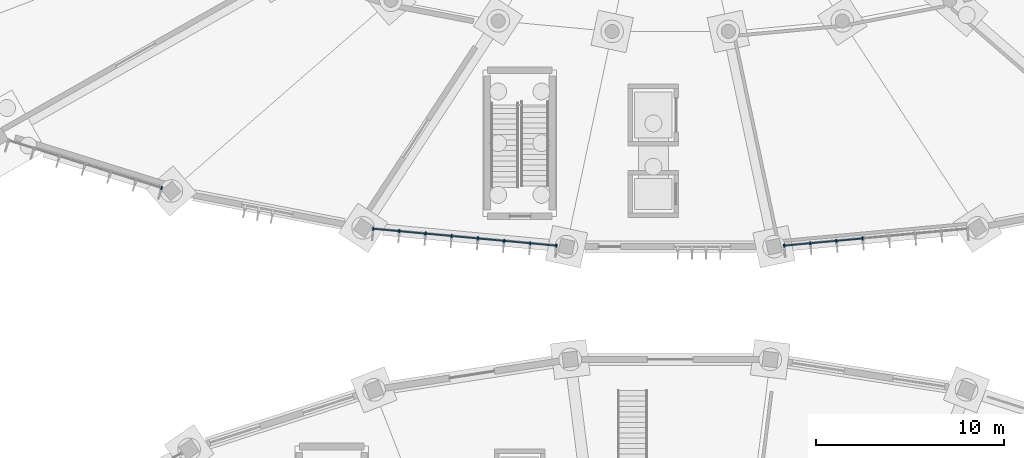
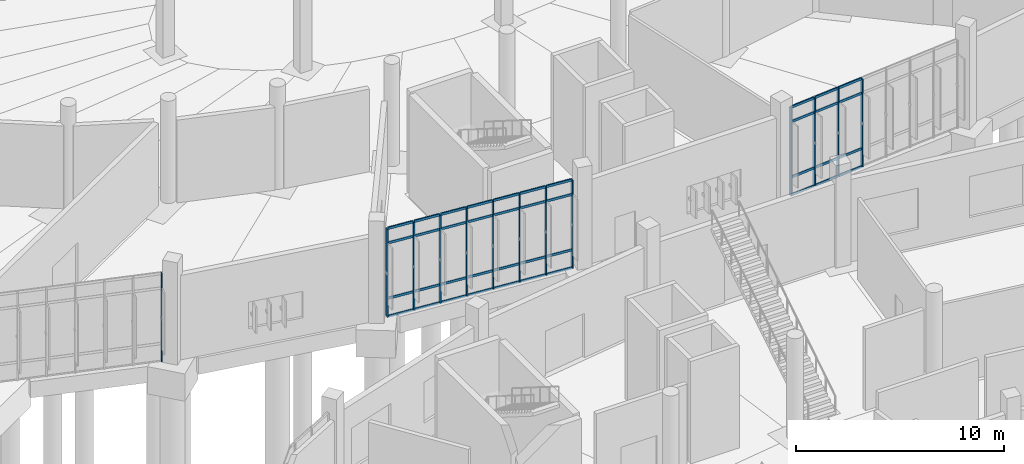
# One storey, part 37 of 140: 53 members, 3 elements without a shape of their own.
"""IFC4 building model written with IfcOpenShell, lengths in metres."""

from ifc_helpers import new_model, si_unit, direction, frame, origin, origin_2d, place, context, subcontext, project, spatial, rectangle, extrude, material, layer, layer_set, material_profile, profile_set, type_object, element, aggregate, save


model = new_model("IFC4")

# Units and contexts
model_context = context("Model", 3, precision=1e-05, world=origin(), true_north=direction((0.0, 1.0)))
body_context = subcontext(model_context, "Body", "Model", "MODEL_VIEW")
ifc_project = project(units=[si_unit("LENGTHUNIT", "METRE"), si_unit("AREAUNIT", "SQUARE_METRE"), si_unit("VOLUMEUNIT", "CUBIC_METRE"), si_unit("PLANEANGLEUNIT", "RADIAN"), si_unit("MASSUNIT", "GRAM", prefix="KILO")], contexts=[model_context])

# Site, building, storey
site_placement = place(None, origin())
site = spatial("IfcSite", under=ifc_project, at=site_placement, CompositionType="ELEMENT")
building_placement = place(site_placement, origin())
building = spatial("IfcBuilding", under=site, at=building_placement, Name="Corvandel Quay Wholesale Market", CompositionType="ELEMENT")
storey_placement = place(building_placement, origin())
storey = spatial("IfcBuildingStorey", under=building, at=storey_placement, Name="L00", CompositionType="ELEMENT", Elevation=0.0)

# Curtain wall, member
ifc_material_1 = material(Name="Bronze anodised aluminium and low-E insulated glazing", Category="aluminium")
ifc_layer_1 = layer(ifc_material_1, 0.18603515625)
ifc_layer_set_1 = layer_set([ifc_layer_1], Name="Bronze anodised aluminium and low-E insulated glazing")
curtain_wall_type_1 = type_object("IfcCurtainWallType", Name="Stick Curtain Wall System CW23 H5070", PredefinedType="NOTDEFINED", material=ifc_layer_set_1)
curtain_wall_1_placement = place(storey_placement, origin())
curtain_wall_1 = element("IfcCurtainWall", 1, at=curtain_wall_1_placement, inside=storey, type_object=curtain_wall_type_1, Name="Curtain Wall CW-0108", PredefinedType="NOTDEFINED")
ifc_material_2 = material(Name="Anodised aluminium 6063-T6", Category="aluminium")
ifc_material_profile_1 = material_profile(ifc_material_2, rectangle(XDim=0.06494140625, YDim=0.179931640625, at=origin_2d()), Name="ALU-MUL-65x180")
ifc_profile_set_1 = profile_set([ifc_material_profile_1], Name="Anodised aluminium 6063-T6")
member_type_1 = type_object("IfcMemberType", Name="Curtain Wall Mullion ML01 65x180", PredefinedType="MULLION", material=ifc_profile_set_1)
member_1_placement = place(storey_placement, frame((86.958251953125, 93.118896484375, 0.0), z_axis=(0.0, 0.0, 1.0), x_axis=(-0.955123398809, 0.296208192067, 0.0)))
member_1 = element("IfcMember", 2, at=member_1_placement, type_object=member_type_1, Name="Mullion CW-0108-M06", PredefinedType="MULLION", context=body_context, shape_type="SweptSolid", body=[
    extrude(rectangle(XDim=0.06494140625, YDim=0.179931640625, at=origin_2d()), origin(), (0.0, 0.0, 1.0), 5.14990234375),
])
aggregate(curtain_wall_1, [member_1])

# Curtain wall, members
ifc_layer_2 = layer(ifc_material_1, 0.14990234375)
ifc_layer_set_2 = layer_set([ifc_layer_2], Name="Bronze anodised aluminium and low-E insulated glazing")
curtain_wall_type_2 = type_object("IfcCurtainWallType", Name="Stick Curtain Wall System CW25 H5250", PredefinedType="NOTDEFINED", material=ifc_layer_set_2)
curtain_wall_2_placement = place(storey_placement, origin())
curtain_wall_2 = element("IfcCurtainWall", 3, at=curtain_wall_2_placement, inside=storey, type_object=curtain_wall_type_2, Name="Curtain Wall CW-0112", PredefinedType="NOTDEFINED")
member_2_placement = place(storey_placement, frame((98.20263671875, 90.94921875, 0.0), z_axis=(0.0, 0.0, 1.0), x_axis=(-0.995756880939, 0.092023008338, 0.0)))
member_2 = element("IfcMember", 4, at=member_2_placement, type_object=member_type_1, Name="Mullion CW-0112-M00", PredefinedType="MULLION", context=body_context, shape_type="SweptSolid", body=[
    extrude(rectangle(XDim=0.06494140625, YDim=0.179931640625, at=origin_2d()), origin(), (0.0, 0.0, 1.0), 5.14990234375),
])
member_3_placement = place(storey_placement, frame((99.594482421875, 90.82080078125, 0.0), z_axis=(0.0, 0.0, 1.0), x_axis=(-0.995756880939, 0.092023008338, 0.0)))
member_3 = element("IfcMember", 5, at=member_3_placement, type_object=member_type_1, Name="Mullion CW-0112-M01", PredefinedType="MULLION", context=body_context, shape_type="SweptSolid", body=[
    extrude(rectangle(XDim=0.06494140625, YDim=0.179931640625, at=origin_2d()), origin(), (0.0, 0.0, 1.0), 5.14990234375),
])
member_4_placement = place(storey_placement, frame((100.986572265625, 90.6923828125, 0.0), z_axis=(0.0, 0.0, 1.0), x_axis=(-0.995756880939, 0.092023008338, 0.0)))
member_4 = element("IfcMember", 6, at=member_4_placement, type_object=member_type_1, Name="Mullion CW-0112-M02", PredefinedType="MULLION", context=body_context, shape_type="SweptSolid", body=[
    extrude(rectangle(XDim=0.06494140625, YDim=0.179931640625, at=origin_2d()), origin(), (0.0, 0.0, 1.0), 5.14990234375),
])
member_5_placement = place(storey_placement, frame((102.37841796875, 90.563720703125, 0.0), z_axis=(0.0, 0.0, 1.0), x_axis=(-0.995756880939, 0.092023008338, 0.0)))
member_5 = element("IfcMember", 7, at=member_5_placement, type_object=member_type_1, Name="Mullion CW-0112-M03", PredefinedType="MULLION", context=body_context, shape_type="SweptSolid", body=[
    extrude(rectangle(XDim=0.06494140625, YDim=0.179931640625, at=origin_2d()), origin(), (0.0, 0.0, 1.0), 5.14990234375),
])
member_6_placement = place(storey_placement, frame((103.7705078125, 90.435302734375, 0.0), z_axis=(0.0, 0.0, 1.0), x_axis=(-0.995756880939, 0.092023008338, 0.0)))
member_6 = element("IfcMember", 8, at=member_6_placement, type_object=member_type_1, Name="Mullion CW-0112-M04", PredefinedType="MULLION", context=body_context, shape_type="SweptSolid", body=[
    extrude(rectangle(XDim=0.06494140625, YDim=0.179931640625, at=origin_2d()), origin(), (0.0, 0.0, 1.0), 5.14990234375),
])
member_7_placement = place(storey_placement, frame((105.162353515625, 90.306640625, 0.0), z_axis=(0.0, 0.0, 1.0), x_axis=(-0.995756880939, 0.092023008338, 0.0)))
member_7 = element("IfcMember", 9, at=member_7_placement, type_object=member_type_1, Name="Mullion CW-0112-M05", PredefinedType="MULLION", context=body_context, shape_type="SweptSolid", body=[
    extrude(rectangle(XDim=0.06494140625, YDim=0.179931640625, at=origin_2d()), origin(), (0.0, 0.0, 1.0), 5.14990234375),
])
member_8_placement = place(storey_placement, frame((106.554443359375, 90.17822265625, 0.0), z_axis=(0.0, 0.0, 1.0), x_axis=(-0.995756880939, 0.092023008338, 0.0)))
member_8 = element("IfcMember", 10, at=member_8_placement, type_object=member_type_1, Name="Mullion CW-0112-M06", PredefinedType="MULLION", context=body_context, shape_type="SweptSolid", body=[
    extrude(rectangle(XDim=0.06494140625, YDim=0.179931640625, at=origin_2d()), origin(), (0.0, 0.0, 1.0), 5.14990234375),
])
member_9_placement = place(storey_placement, frame((107.9462890625, 90.0498046875, 0.0), z_axis=(0.0, 0.0, 1.0), x_axis=(-0.995756880939, 0.092023008338, 0.0)))
member_9 = element("IfcMember", 11, at=member_9_placement, type_object=member_type_1, Name="Mullion CW-0112-M07", PredefinedType="MULLION", context=body_context, shape_type="SweptSolid", body=[
    extrude(rectangle(XDim=0.06494140625, YDim=0.179931640625, at=origin_2d()), origin(), (0.0, 0.0, 1.0), 5.14990234375),
])

ifc_layer_3 = layer(ifc_material_1, 0.174072265625)
ifc_layer_set_3 = layer_set([ifc_layer_3], Name="Bronze anodised aluminium and low-E insulated glazing")
curtain_wall_type_3 = type_object("IfcCurtainWallType", Name="Stick Curtain Wall System CW27 H5430", PredefinedType="NOTDEFINED", material=ifc_layer_set_3)
curtain_wall_3_placement = place(storey_placement, origin())
curtain_wall_3 = element("IfcCurtainWall", 12, at=curtain_wall_3_placement, inside=storey, type_object=curtain_wall_type_3, Name="Curtain Wall CW-0116", PredefinedType="NOTDEFINED")
member_10_placement = place(storey_placement, frame((120.0537109375, 90.0498046875, 0.0), z_axis=(0.0, 0.0, 1.0), x_axis=(0.995756880939, 0.092023008338, 0.0)))
member_10 = element("IfcMember", 13, at=member_10_placement, type_object=member_type_1, Name="Mullion CW-0116-M00", PredefinedType="MULLION", context=body_context, shape_type="SweptSolid", body=[
    extrude(rectangle(XDim=0.06494140625, YDim=0.179931640625, at=origin_2d()), origin(), (0.0, 0.0, 1.0), 5.14990234375),
])
member_11_placement = place(storey_placement, frame((121.445556640625, 90.17822265625, 0.0), z_axis=(0.0, 0.0, 1.0), x_axis=(0.995756880939, 0.092023008338, 0.0)))
member_11 = element("IfcMember", 14, at=member_11_placement, type_object=member_type_1, Name="Mullion CW-0116-M01", PredefinedType="MULLION", context=body_context, shape_type="SweptSolid", body=[
    extrude(rectangle(XDim=0.06494140625, YDim=0.179931640625, at=origin_2d()), origin(), (0.0, 0.0, 1.0), 5.14990234375),
])
member_12_placement = place(storey_placement, frame((122.837646484375, 90.306640625, 0.0), z_axis=(0.0, 0.0, 1.0), x_axis=(0.995756880939, 0.092023008338, 0.0)))
member_12 = element("IfcMember", 15, at=member_12_placement, type_object=member_type_1, Name="Mullion CW-0116-M02", PredefinedType="MULLION", context=body_context, shape_type="SweptSolid", body=[
    extrude(rectangle(XDim=0.06494140625, YDim=0.179931640625, at=origin_2d()), origin(), (0.0, 0.0, 1.0), 5.14990234375),
])
member_13_placement = place(storey_placement, frame((124.2294921875, 90.435302734375, 0.0), z_axis=(0.0, 0.0, 1.0), x_axis=(0.995756880939, 0.092023008338, 0.0)))
member_13 = element("IfcMember", 16, at=member_13_placement, type_object=member_type_1, Name="Mullion CW-0116-M03", PredefinedType="MULLION", context=body_context, shape_type="SweptSolid", body=[
    extrude(rectangle(XDim=0.06494140625, YDim=0.179931640625, at=origin_2d()), origin(), (0.0, 0.0, 1.0), 5.14990234375),
])

# Member
ifc_material_profile_2 = material_profile(ifc_material_2, rectangle(XDim=0.06494140625, YDim=0.139892578125, at=origin_2d()), Name="ALU-TRN-65x140")
ifc_profile_set_2 = profile_set([ifc_material_profile_2], Name="Anodised aluminium 6063-T6")
member_type_2 = type_object("IfcMemberType", Name="Curtain Wall Transom TR01 65x140", PredefinedType="USERDEFINED", material=ifc_profile_set_2)
member_14_placement = place(storey_placement, frame((98.235107421875, 90.9462890625, 0.0), z_axis=(0.99576306711, -0.091956044829, 0.0), x_axis=(0.091956044829, 0.99576306711, 0.0)))
member_14 = element("IfcMember", 17, at=member_14_placement, type_object=member_type_2, Name="Transom CW-0112-T00-0", ObjectType="TRANSOM", PredefinedType="USERDEFINED", context=body_context, shape_type="SweptSolid", body=[
    extrude(rectangle(XDim=0.06494140625, YDim=0.139892578125, at=origin_2d()), origin(), (0.0, 0.0, 1.0), 1.332763671875),
])

member_15_placement = place(storey_placement, frame((98.235107421875, 90.9462890625, 1.050048828125), z_axis=(0.99576306711, -0.091956044829, 0.0), x_axis=(0.091956044829, 0.99576306711, 0.0)))
member_15 = element("IfcMember", 18, at=member_15_placement, type_object=member_type_2, Name="Transom CW-0112-T00-1", ObjectType="TRANSOM", PredefinedType="USERDEFINED", context=body_context, shape_type="SweptSolid", body=[
    extrude(rectangle(XDim=0.06494140625, YDim=0.139892578125, at=origin_2d()), origin(), (0.0, 0.0, 1.0), 1.332763671875),
])

member_16_placement = place(storey_placement, frame((98.235107421875, 90.9462890625, 4.300048828125), z_axis=(0.99576306711, -0.091956044829, 0.0), x_axis=(0.091956044829, 0.99576306711, 0.0)))
member_16 = element("IfcMember", 19, at=member_16_placement, type_object=member_type_2, Name="Transom CW-0112-T00-2", ObjectType="TRANSOM", PredefinedType="USERDEFINED", context=body_context, shape_type="SweptSolid", body=[
    extrude(rectangle(XDim=0.06494140625, YDim=0.139892578125, at=origin_2d()), origin(), (0.0, 0.0, 1.0), 1.332763671875),
])

member_17_placement = place(storey_placement, frame((98.235107421875, 90.9462890625, 5.14990234375), z_axis=(0.99576306711, -0.091956044829, 0.0), x_axis=(0.091956044829, 0.99576306711, 0.0)))
member_17 = element("IfcMember", 20, at=member_17_placement, type_object=member_type_2, Name="Transom CW-0112-T00-3", ObjectType="TRANSOM", PredefinedType="USERDEFINED", context=body_context, shape_type="SweptSolid", body=[
    extrude(rectangle(XDim=0.06494140625, YDim=0.139892578125, at=origin_2d()), origin(), (0.0, 0.0, 1.0), 1.332763671875),
])

member_18_placement = place(storey_placement, frame((99.626953125, 90.81787109375, 0.0), z_axis=(0.99576306711, -0.091956044829, 0.0), x_axis=(0.091956044829, 0.99576306711, 0.0)))
member_18 = element("IfcMember", 21, at=member_18_placement, type_object=member_type_2, Name="Transom CW-0112-T01-0", ObjectType="TRANSOM", PredefinedType="USERDEFINED", context=body_context, shape_type="SweptSolid", body=[
    extrude(rectangle(XDim=0.06494140625, YDim=0.139892578125, at=origin_2d()), origin(), (0.0, 0.0, 1.0), 1.332763671875),
])

member_19_placement = place(storey_placement, frame((99.626953125, 90.81787109375, 1.050048828125), z_axis=(0.99576306711, -0.091956044829, 0.0), x_axis=(0.091956044829, 0.99576306711, 0.0)))
member_19 = element("IfcMember", 22, at=member_19_placement, type_object=member_type_2, Name="Transom CW-0112-T01-1", ObjectType="TRANSOM", PredefinedType="USERDEFINED", context=body_context, shape_type="SweptSolid", body=[
    extrude(rectangle(XDim=0.06494140625, YDim=0.139892578125, at=origin_2d()), origin(), (0.0, 0.0, 1.0), 1.332763671875),
])

member_20_placement = place(storey_placement, frame((99.626953125, 90.81787109375, 4.300048828125), z_axis=(0.99576306711, -0.091956044829, 0.0), x_axis=(0.091956044829, 0.99576306711, 0.0)))
member_20 = element("IfcMember", 23, at=member_20_placement, type_object=member_type_2, Name="Transom CW-0112-T01-2", ObjectType="TRANSOM", PredefinedType="USERDEFINED", context=body_context, shape_type="SweptSolid", body=[
    extrude(rectangle(XDim=0.06494140625, YDim=0.139892578125, at=origin_2d()), origin(), (0.0, 0.0, 1.0), 1.332763671875),
])

member_21_placement = place(storey_placement, frame((99.626953125, 90.81787109375, 5.14990234375), z_axis=(0.99576306711, -0.091956044829, 0.0), x_axis=(0.091956044829, 0.99576306711, 0.0)))
member_21 = element("IfcMember", 24, at=member_21_placement, type_object=member_type_2, Name="Transom CW-0112-T01-3", ObjectType="TRANSOM", PredefinedType="USERDEFINED", context=body_context, shape_type="SweptSolid", body=[
    extrude(rectangle(XDim=0.06494140625, YDim=0.139892578125, at=origin_2d()), origin(), (0.0, 0.0, 1.0), 1.332763671875),
])

member_22_placement = place(storey_placement, frame((101.018798828125, 90.689208984375, 0.0), z_axis=(0.995764615635, -0.091939274793, 0.0), x_axis=(0.091939274793, 0.995764615635, 0.0)))
member_22 = element("IfcMember", 25, at=member_22_placement, type_object=member_type_2, Name="Transom CW-0112-T02-0", ObjectType="TRANSOM", PredefinedType="USERDEFINED", context=body_context, shape_type="SweptSolid", body=[
    extrude(rectangle(XDim=0.06494140625, YDim=0.139892578125, at=origin_2d()), origin(), (0.0, 0.0, 1.0), 1.3330078125),
])

member_23_placement = place(storey_placement, frame((101.018798828125, 90.689208984375, 1.050048828125), z_axis=(0.995764615635, -0.091939274793, 0.0), x_axis=(0.091939274793, 0.995764615635, 0.0)))
member_23 = element("IfcMember", 26, at=member_23_placement, type_object=member_type_2, Name="Transom CW-0112-T02-1", ObjectType="TRANSOM", PredefinedType="USERDEFINED", context=body_context, shape_type="SweptSolid", body=[
    extrude(rectangle(XDim=0.06494140625, YDim=0.139892578125, at=origin_2d()), origin(), (0.0, 0.0, 1.0), 1.3330078125),
])

member_24_placement = place(storey_placement, frame((101.018798828125, 90.689208984375, 4.300048828125), z_axis=(0.995764615635, -0.091939274793, 0.0), x_axis=(0.091939274793, 0.995764615635, 0.0)))
member_24 = element("IfcMember", 27, at=member_24_placement, type_object=member_type_2, Name="Transom CW-0112-T02-2", ObjectType="TRANSOM", PredefinedType="USERDEFINED", context=body_context, shape_type="SweptSolid", body=[
    extrude(rectangle(XDim=0.06494140625, YDim=0.139892578125, at=origin_2d()), origin(), (0.0, 0.0, 1.0), 1.3330078125),
])

member_25_placement = place(storey_placement, frame((101.018798828125, 90.689208984375, 5.14990234375), z_axis=(0.995764615635, -0.091939274793, 0.0), x_axis=(0.091939274793, 0.995764615635, 0.0)))
member_25 = element("IfcMember", 28, at=member_25_placement, type_object=member_type_2, Name="Transom CW-0112-T02-3", ObjectType="TRANSOM", PredefinedType="USERDEFINED", context=body_context, shape_type="SweptSolid", body=[
    extrude(rectangle(XDim=0.06494140625, YDim=0.139892578125, at=origin_2d()), origin(), (0.0, 0.0, 1.0), 1.3330078125),
])

member_26_placement = place(storey_placement, frame((102.410888671875, 90.560791015625, 0.0), z_axis=(0.99576306711, -0.091956044829, 0.0), x_axis=(0.091956044829, 0.99576306711, 0.0)))
member_26 = element("IfcMember", 29, at=member_26_placement, type_object=member_type_2, Name="Transom CW-0112-T03-0", ObjectType="TRANSOM", PredefinedType="USERDEFINED", context=body_context, shape_type="SweptSolid", body=[
    extrude(rectangle(XDim=0.06494140625, YDim=0.139892578125, at=origin_2d()), origin(), (0.0, 0.0, 1.0), 1.332763671875),
])

member_27_placement = place(storey_placement, frame((102.410888671875, 90.560791015625, 1.050048828125), z_axis=(0.99576306711, -0.091956044829, 0.0), x_axis=(0.091956044829, 0.99576306711, 0.0)))
member_27 = element("IfcMember", 30, at=member_27_placement, type_object=member_type_2, Name="Transom CW-0112-T03-1", ObjectType="TRANSOM", PredefinedType="USERDEFINED", context=body_context, shape_type="SweptSolid", body=[
    extrude(rectangle(XDim=0.06494140625, YDim=0.139892578125, at=origin_2d()), origin(), (0.0, 0.0, 1.0), 1.332763671875),
])

member_28_placement = place(storey_placement, frame((102.410888671875, 90.560791015625, 4.300048828125), z_axis=(0.99576306711, -0.091956044829, 0.0), x_axis=(0.091956044829, 0.99576306711, 0.0)))
member_28 = element("IfcMember", 31, at=member_28_placement, type_object=member_type_2, Name="Transom CW-0112-T03-2", ObjectType="TRANSOM", PredefinedType="USERDEFINED", context=body_context, shape_type="SweptSolid", body=[
    extrude(rectangle(XDim=0.06494140625, YDim=0.139892578125, at=origin_2d()), origin(), (0.0, 0.0, 1.0), 1.332763671875),
])

member_29_placement = place(storey_placement, frame((102.410888671875, 90.560791015625, 5.14990234375), z_axis=(0.99576306711, -0.091956044829, 0.0), x_axis=(0.091956044829, 0.99576306711, 0.0)))
member_29 = element("IfcMember", 32, at=member_29_placement, type_object=member_type_2, Name="Transom CW-0112-T03-3", ObjectType="TRANSOM", PredefinedType="USERDEFINED", context=body_context, shape_type="SweptSolid", body=[
    extrude(rectangle(XDim=0.06494140625, YDim=0.139892578125, at=origin_2d()), origin(), (0.0, 0.0, 1.0), 1.332763671875),
])

member_30_placement = place(storey_placement, frame((103.802734375, 90.432373046875, 0.0), z_axis=(0.995764615635, -0.091939274793, 0.0), x_axis=(0.091939274793, 0.995764615635, 0.0)))
member_30 = element("IfcMember", 33, at=member_30_placement, type_object=member_type_2, Name="Transom CW-0112-T04-0", ObjectType="TRANSOM", PredefinedType="USERDEFINED", context=body_context, shape_type="SweptSolid", body=[
    extrude(rectangle(XDim=0.06494140625, YDim=0.139892578125, at=origin_2d()), origin(), (0.0, 0.0, 1.0), 1.3330078125),
])

member_31_placement = place(storey_placement, frame((103.802734375, 90.432373046875, 1.050048828125), z_axis=(0.995764615635, -0.091939274793, 0.0), x_axis=(0.091939274793, 0.995764615635, 0.0)))
member_31 = element("IfcMember", 34, at=member_31_placement, type_object=member_type_2, Name="Transom CW-0112-T04-1", ObjectType="TRANSOM", PredefinedType="USERDEFINED", context=body_context, shape_type="SweptSolid", body=[
    extrude(rectangle(XDim=0.06494140625, YDim=0.139892578125, at=origin_2d()), origin(), (0.0, 0.0, 1.0), 1.3330078125),
])

member_32_placement = place(storey_placement, frame((103.802734375, 90.432373046875, 4.300048828125), z_axis=(0.995764615635, -0.091939274793, 0.0), x_axis=(0.091939274793, 0.995764615635, 0.0)))
member_32 = element("IfcMember", 35, at=member_32_placement, type_object=member_type_2, Name="Transom CW-0112-T04-2", ObjectType="TRANSOM", PredefinedType="USERDEFINED", context=body_context, shape_type="SweptSolid", body=[
    extrude(rectangle(XDim=0.06494140625, YDim=0.139892578125, at=origin_2d()), origin(), (0.0, 0.0, 1.0), 1.3330078125),
])

member_33_placement = place(storey_placement, frame((103.802734375, 90.432373046875, 5.14990234375), z_axis=(0.995764615635, -0.091939274793, 0.0), x_axis=(0.091939274793, 0.995764615635, 0.0)))
member_33 = element("IfcMember", 36, at=member_33_placement, type_object=member_type_2, Name="Transom CW-0112-T04-3", ObjectType="TRANSOM", PredefinedType="USERDEFINED", context=body_context, shape_type="SweptSolid", body=[
    extrude(rectangle(XDim=0.06494140625, YDim=0.139892578125, at=origin_2d()), origin(), (0.0, 0.0, 1.0), 1.3330078125),
])

member_34_placement = place(storey_placement, frame((105.19482421875, 90.3037109375, 0.0), z_axis=(0.99576306711, -0.091956044829, 0.0), x_axis=(0.091956044829, 0.99576306711, 0.0)))
member_34 = element("IfcMember", 37, at=member_34_placement, type_object=member_type_2, Name="Transom CW-0112-T05-0", ObjectType="TRANSOM", PredefinedType="USERDEFINED", context=body_context, shape_type="SweptSolid", body=[
    extrude(rectangle(XDim=0.06494140625, YDim=0.139892578125, at=origin_2d()), origin(), (0.0, 0.0, 1.0), 1.332763671875),
])

member_35_placement = place(storey_placement, frame((105.19482421875, 90.3037109375, 1.050048828125), z_axis=(0.99576306711, -0.091956044829, 0.0), x_axis=(0.091956044829, 0.99576306711, 0.0)))
member_35 = element("IfcMember", 38, at=member_35_placement, type_object=member_type_2, Name="Transom CW-0112-T05-1", ObjectType="TRANSOM", PredefinedType="USERDEFINED", context=body_context, shape_type="SweptSolid", body=[
    extrude(rectangle(XDim=0.06494140625, YDim=0.139892578125, at=origin_2d()), origin(), (0.0, 0.0, 1.0), 1.332763671875),
])

member_36_placement = place(storey_placement, frame((105.19482421875, 90.3037109375, 4.300048828125), z_axis=(0.99576306711, -0.091956044829, 0.0), x_axis=(0.091956044829, 0.99576306711, 0.0)))
member_36 = element("IfcMember", 39, at=member_36_placement, type_object=member_type_2, Name="Transom CW-0112-T05-2", ObjectType="TRANSOM", PredefinedType="USERDEFINED", context=body_context, shape_type="SweptSolid", body=[
    extrude(rectangle(XDim=0.06494140625, YDim=0.139892578125, at=origin_2d()), origin(), (0.0, 0.0, 1.0), 1.332763671875),
])

member_37_placement = place(storey_placement, frame((105.19482421875, 90.3037109375, 5.14990234375), z_axis=(0.99576306711, -0.091956044829, 0.0), x_axis=(0.091956044829, 0.99576306711, 0.0)))
member_37 = element("IfcMember", 40, at=member_37_placement, type_object=member_type_2, Name="Transom CW-0112-T05-3", ObjectType="TRANSOM", PredefinedType="USERDEFINED", context=body_context, shape_type="SweptSolid", body=[
    extrude(rectangle(XDim=0.06494140625, YDim=0.139892578125, at=origin_2d()), origin(), (0.0, 0.0, 1.0), 1.332763671875),
])

member_38_placement = place(storey_placement, frame((106.586669921875, 90.17529296875, 0.0), z_axis=(0.99576306711, -0.091956044829, 0.0), x_axis=(0.091956044829, 0.99576306711, 0.0)))
member_38 = element("IfcMember", 41, at=member_38_placement, type_object=member_type_2, Name="Transom CW-0112-T06-0", ObjectType="TRANSOM", PredefinedType="USERDEFINED", context=body_context, shape_type="SweptSolid", body=[
    extrude(rectangle(XDim=0.06494140625, YDim=0.139892578125, at=origin_2d()), origin(), (0.0, 0.0, 1.0), 1.332763671875),
])

member_39_placement = place(storey_placement, frame((106.586669921875, 90.17529296875, 1.050048828125), z_axis=(0.99576306711, -0.091956044829, 0.0), x_axis=(0.091956044829, 0.99576306711, 0.0)))
member_39 = element("IfcMember", 42, at=member_39_placement, type_object=member_type_2, Name="Transom CW-0112-T06-1", ObjectType="TRANSOM", PredefinedType="USERDEFINED", context=body_context, shape_type="SweptSolid", body=[
    extrude(rectangle(XDim=0.06494140625, YDim=0.139892578125, at=origin_2d()), origin(), (0.0, 0.0, 1.0), 1.332763671875),
])

member_40_placement = place(storey_placement, frame((106.586669921875, 90.17529296875, 4.300048828125), z_axis=(0.99576306711, -0.091956044829, 0.0), x_axis=(0.091956044829, 0.99576306711, 0.0)))
member_40 = element("IfcMember", 43, at=member_40_placement, type_object=member_type_2, Name="Transom CW-0112-T06-2", ObjectType="TRANSOM", PredefinedType="USERDEFINED", context=body_context, shape_type="SweptSolid", body=[
    extrude(rectangle(XDim=0.06494140625, YDim=0.139892578125, at=origin_2d()), origin(), (0.0, 0.0, 1.0), 1.332763671875),
])

member_41_placement = place(storey_placement, frame((106.586669921875, 90.17529296875, 5.14990234375), z_axis=(0.99576306711, -0.091956044829, 0.0), x_axis=(0.091956044829, 0.99576306711, 0.0)))
member_41 = element("IfcMember", 44, at=member_41_placement, type_object=member_type_2, Name="Transom CW-0112-T06-3", ObjectType="TRANSOM", PredefinedType="USERDEFINED", context=body_context, shape_type="SweptSolid", body=[
    extrude(rectangle(XDim=0.06494140625, YDim=0.139892578125, at=origin_2d()), origin(), (0.0, 0.0, 1.0), 1.332763671875),
])

aggregate(curtain_wall_2, [member_2, member_3, member_4, member_5, member_6, member_7, member_8, member_9, member_14, member_15, member_16, member_17, member_18, member_19, member_20, member_21, member_22, member_23, member_24, member_25, member_26, member_27, member_28, member_29, member_30, member_31, member_32, member_33, member_34, member_35, member_36, member_37, member_38, member_39, member_40, member_41])

member_42_placement = place(storey_placement, frame((120.086181640625, 90.052734375, 0.0), z_axis=(0.99576306711, 0.091956044829, 0.0), x_axis=(-0.091956044829, 0.99576306711, 0.0)))
member_42 = element("IfcMember", 45, at=member_42_placement, type_object=member_type_2, Name="Transom CW-0116-T00-0", ObjectType="TRANSOM", PredefinedType="USERDEFINED", context=body_context, shape_type="SweptSolid", body=[
    extrude(rectangle(XDim=0.06494140625, YDim=0.139892578125, at=origin_2d()), origin(), (0.0, 0.0, 1.0), 1.332763671875),
])

member_43_placement = place(storey_placement, frame((120.086181640625, 90.052734375, 1.050048828125), z_axis=(0.99576306711, 0.091956044829, 0.0), x_axis=(-0.091956044829, 0.99576306711, 0.0)))
member_43 = element("IfcMember", 46, at=member_43_placement, type_object=member_type_2, Name="Transom CW-0116-T00-1", ObjectType="TRANSOM", PredefinedType="USERDEFINED", context=body_context, shape_type="SweptSolid", body=[
    extrude(rectangle(XDim=0.06494140625, YDim=0.139892578125, at=origin_2d()), origin(), (0.0, 0.0, 1.0), 1.332763671875),
])

member_44_placement = place(storey_placement, frame((120.086181640625, 90.052734375, 4.300048828125), z_axis=(0.99576306711, 0.091956044829, 0.0), x_axis=(-0.091956044829, 0.99576306711, 0.0)))
member_44 = element("IfcMember", 47, at=member_44_placement, type_object=member_type_2, Name="Transom CW-0116-T00-2", ObjectType="TRANSOM", PredefinedType="USERDEFINED", context=body_context, shape_type="SweptSolid", body=[
    extrude(rectangle(XDim=0.06494140625, YDim=0.139892578125, at=origin_2d()), origin(), (0.0, 0.0, 1.0), 1.332763671875),
])

member_45_placement = place(storey_placement, frame((120.086181640625, 90.052734375, 5.14990234375), z_axis=(0.99576306711, 0.091956044829, 0.0), x_axis=(-0.091956044829, 0.99576306711, 0.0)))
member_45 = element("IfcMember", 48, at=member_45_placement, type_object=member_type_2, Name="Transom CW-0116-T00-3", ObjectType="TRANSOM", PredefinedType="USERDEFINED", context=body_context, shape_type="SweptSolid", body=[
    extrude(rectangle(XDim=0.06494140625, YDim=0.139892578125, at=origin_2d()), origin(), (0.0, 0.0, 1.0), 1.332763671875),
])

member_46_placement = place(storey_placement, frame((121.47802734375, 90.18115234375, 0.0), z_axis=(0.99576306711, 0.091956044829, 0.0), x_axis=(-0.091956044829, 0.99576306711, 0.0)))
member_46 = element("IfcMember", 49, at=member_46_placement, type_object=member_type_2, Name="Transom CW-0116-T01-0", ObjectType="TRANSOM", PredefinedType="USERDEFINED", context=body_context, shape_type="SweptSolid", body=[
    extrude(rectangle(XDim=0.06494140625, YDim=0.139892578125, at=origin_2d()), origin(), (0.0, 0.0, 1.0), 1.332763671875),
])

member_47_placement = place(storey_placement, frame((121.47802734375, 90.18115234375, 1.050048828125), z_axis=(0.99576306711, 0.091956044829, 0.0), x_axis=(-0.091956044829, 0.99576306711, 0.0)))
member_47 = element("IfcMember", 50, at=member_47_placement, type_object=member_type_2, Name="Transom CW-0116-T01-1", ObjectType="TRANSOM", PredefinedType="USERDEFINED", context=body_context, shape_type="SweptSolid", body=[
    extrude(rectangle(XDim=0.06494140625, YDim=0.139892578125, at=origin_2d()), origin(), (0.0, 0.0, 1.0), 1.332763671875),
])

member_48_placement = place(storey_placement, frame((121.47802734375, 90.18115234375, 4.300048828125), z_axis=(0.99576306711, 0.091956044829, 0.0), x_axis=(-0.091956044829, 0.99576306711, 0.0)))
member_48 = element("IfcMember", 51, at=member_48_placement, type_object=member_type_2, Name="Transom CW-0116-T01-2", ObjectType="TRANSOM", PredefinedType="USERDEFINED", context=body_context, shape_type="SweptSolid", body=[
    extrude(rectangle(XDim=0.06494140625, YDim=0.139892578125, at=origin_2d()), origin(), (0.0, 0.0, 1.0), 1.332763671875),
])

member_49_placement = place(storey_placement, frame((121.47802734375, 90.18115234375, 5.14990234375), z_axis=(0.99576306711, 0.091956044829, 0.0), x_axis=(-0.091956044829, 0.99576306711, 0.0)))
member_49 = element("IfcMember", 52, at=member_49_placement, type_object=member_type_2, Name="Transom CW-0116-T01-3", ObjectType="TRANSOM", PredefinedType="USERDEFINED", context=body_context, shape_type="SweptSolid", body=[
    extrude(rectangle(XDim=0.06494140625, YDim=0.139892578125, at=origin_2d()), origin(), (0.0, 0.0, 1.0), 1.332763671875),
])

member_50_placement = place(storey_placement, frame((122.869873046875, 90.309814453125, 0.0), z_axis=(0.995764615635, 0.091939274793, 0.0), x_axis=(-0.091939274793, 0.995764615635, 0.0)))
member_50 = element("IfcMember", 53, at=member_50_placement, type_object=member_type_2, Name="Transom CW-0116-T02-0", ObjectType="TRANSOM", PredefinedType="USERDEFINED", context=body_context, shape_type="SweptSolid", body=[
    extrude(rectangle(XDim=0.06494140625, YDim=0.139892578125, at=origin_2d()), origin(), (0.0, 0.0, 1.0), 1.3330078125),
])

member_51_placement = place(storey_placement, frame((122.869873046875, 90.309814453125, 1.050048828125), z_axis=(0.995764615635, 0.091939274793, 0.0), x_axis=(-0.091939274793, 0.995764615635, 0.0)))
member_51 = element("IfcMember", 54, at=member_51_placement, type_object=member_type_2, Name="Transom CW-0116-T02-1", ObjectType="TRANSOM", PredefinedType="USERDEFINED", context=body_context, shape_type="SweptSolid", body=[
    extrude(rectangle(XDim=0.06494140625, YDim=0.139892578125, at=origin_2d()), origin(), (0.0, 0.0, 1.0), 1.3330078125),
])

member_52_placement = place(storey_placement, frame((122.869873046875, 90.309814453125, 4.300048828125), z_axis=(0.995764615635, 0.091939274793, 0.0), x_axis=(-0.091939274793, 0.995764615635, 0.0)))
member_52 = element("IfcMember", 55, at=member_52_placement, type_object=member_type_2, Name="Transom CW-0116-T02-2", ObjectType="TRANSOM", PredefinedType="USERDEFINED", context=body_context, shape_type="SweptSolid", body=[
    extrude(rectangle(XDim=0.06494140625, YDim=0.139892578125, at=origin_2d()), origin(), (0.0, 0.0, 1.0), 1.3330078125),
])

member_53_placement = place(storey_placement, frame((122.869873046875, 90.309814453125, 5.14990234375), z_axis=(0.995764615635, 0.091939274793, 0.0), x_axis=(-0.091939274793, 0.995764615635, 0.0)))
member_53 = element("IfcMember", 56, at=member_53_placement, type_object=member_type_2, Name="Transom CW-0116-T02-3", ObjectType="TRANSOM", PredefinedType="USERDEFINED", context=body_context, shape_type="SweptSolid", body=[
    extrude(rectangle(XDim=0.06494140625, YDim=0.139892578125, at=origin_2d()), origin(), (0.0, 0.0, 1.0), 1.3330078125),
])

aggregate(curtain_wall_3, [member_10, member_11, member_12, member_13, member_42, member_43, member_44, member_45, member_46, member_47, member_48, member_49, member_50, member_51, member_52, member_53])

save(model, "model.ifc")
